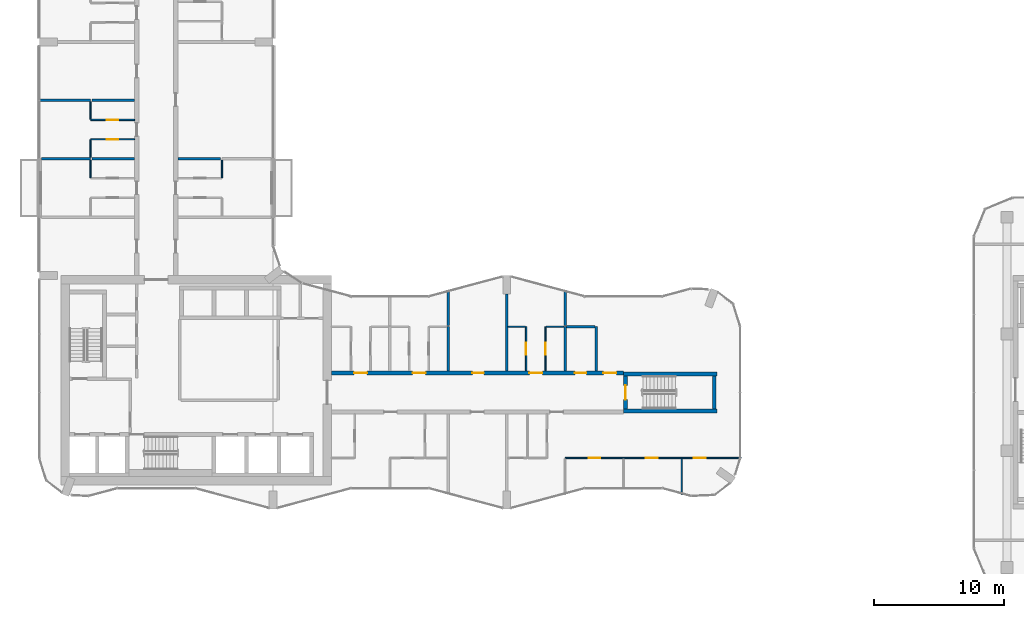
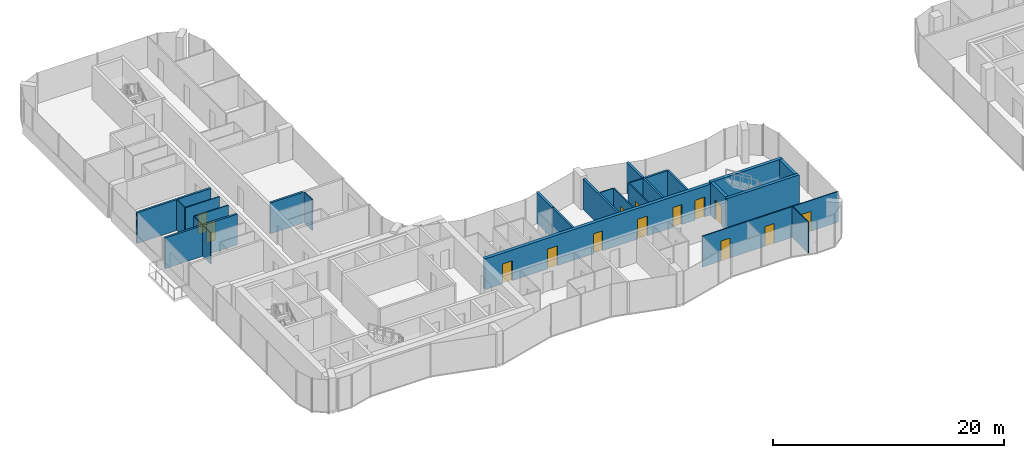
# One storey, part 15 of 22: 29 walls, 14 doors, 14 openings.
"""IFC4 building model written with IfcOpenShell, lengths in metres."""

from ifc_helpers import new_model, si_unit, direction, frame, frame_2d, origin, place, context, subcontext, project, spatial, rectangle, extrude, material, layer, layer_set, type_object, element, fill, save


model = new_model("IFC4")

# Units and contexts
model_context = context("Model", 3, precision=1e-05, world=origin(), true_north=direction((0.0, 1.0)))
body_context = subcontext(model_context, "Body", "Model", "MODEL_VIEW")
ifc_project = project(units=[si_unit("LENGTHUNIT", "METRE"), si_unit("AREAUNIT", "SQUARE_METRE"), si_unit("VOLUMEUNIT", "CUBIC_METRE"), si_unit("PLANEANGLEUNIT", "RADIAN"), si_unit("MASSUNIT", "GRAM", prefix="KILO")], contexts=[model_context])

# Site, building, storey
site_placement = place(None, origin())
site = spatial("IfcSite", under=ifc_project, at=site_placement, CompositionType="ELEMENT")
building_placement = place(site_placement, origin())
building = spatial("IfcBuilding", under=site, at=building_placement, Name="Plateau Cross Towers", CompositionType="ELEMENT")
storey_placement = place(building_placement, frame((0.0, 0.0, 102.800048828125)))
storey = spatial("IfcBuildingStorey", under=building, at=storey_placement, Name="L26", CompositionType="ELEMENT", Elevation=102.800048828125)

# Wall, openings, doors
ifc_material_1 = material(Name="Concrete C60/75", Category="concrete")
ifc_layer_1 = layer(ifc_material_1, 0.324951171875)
ifc_layer_set_1 = layer_set([ifc_layer_1], Name="Concrete C60/75")
wall_type_1 = type_object("IfcWallType", Name="Corridor wall 325", PredefinedType="SHEAR", material=ifc_layer_set_1)
wall_1_placement = place(storey_placement, frame((22.5, 10.5, 0.0), z_axis=(0.0, 0.0, 1.0), x_axis=(1.0, 0.0, 0.0)))
wall_1 = element("IfcWall", 1, at=wall_1_placement, inside=storey, type_object=wall_type_1, Name="A-cw-S2@L26", PredefinedType="SHEAR", context=body_context, shape_type="SweptSolid", body=[
    extrude(rectangle(XDim=22.5, YDim=0.324951171875, at=frame_2d((11.25, 0.0))), origin(), (0.0, 0.0, 1.0), 3.25),
])
opening_1_placement = place(wall_1_placement, frame((1.75, 0.0, 0.0)))
opening_1 = element("IfcOpeningElement", 2, at=opening_1_placement, cuts=wall_1, Name="Opening 26-04", PredefinedType="OPENING", context=body_context, shape_type="SweptSolid", body=[
    extrude(rectangle(XDim=1.0, YDim=2.10009765625, at=frame_2d((0.5, 1.050048828125))), frame((0.0, 0.17236328125, 0.0), z_axis=(0.0, -1.0, 0.0), x_axis=(1.0, 0.0, 0.0)), (0.0, 0.0, 1.0), 0.344970703125),
])
opening_2_placement = place(wall_1_placement, frame((6.25, 0.0, 0.0)))
opening_2 = element("IfcOpeningElement", 3, at=opening_2_placement, cuts=wall_1, Name="Opening 26-05", PredefinedType="OPENING", context=body_context, shape_type="SweptSolid", body=[
    extrude(rectangle(XDim=1.0, YDim=2.10009765625, at=frame_2d((0.5, 1.050048828125))), frame((0.0, 0.17236328125, 0.0), z_axis=(0.0, -1.0, 0.0), x_axis=(1.0, 0.0, 0.0)), (0.0, 0.0, 1.0), 0.344970703125),
])
opening_3_placement = place(wall_1_placement, frame((10.85009765625, 0.0, 0.0)))
opening_3 = element("IfcOpeningElement", 4, at=opening_3_placement, cuts=wall_1, Name="Opening 26-06", PredefinedType="OPENING", context=body_context, shape_type="SweptSolid", body=[
    extrude(rectangle(XDim=0.89990234375, YDim=2.10009765625, at=frame_2d((0.449951171875, 1.050048828125))), frame((0.0, 0.17236328125, 0.0), z_axis=(0.0, -1.0, 0.0), x_axis=(1.0, 0.0, 0.0)), (0.0, 0.0, 1.0), 0.344970703125),
])
opening_4_placement = place(wall_1_placement, frame((15.25, 0.0, 0.0)))
opening_4 = element("IfcOpeningElement", 5, at=opening_4_placement, cuts=wall_1, Name="Opening 26-07", PredefinedType="OPENING", context=body_context, shape_type="SweptSolid", body=[
    extrude(rectangle(XDim=1.0, YDim=2.10009765625, at=frame_2d((0.5, 1.050048828125))), frame((0.0, 0.17236328125, 0.0), z_axis=(0.0, -1.0, 0.0), x_axis=(1.0, 0.0, 0.0)), (0.0, 0.0, 1.0), 0.344970703125),
])
opening_5_placement = place(wall_1_placement, frame((18.75, 0.0, 0.0)))
opening_5 = element("IfcOpeningElement", 6, at=opening_5_placement, cuts=wall_1, Name="Opening 26-08", PredefinedType="OPENING", context=body_context, shape_type="SweptSolid", body=[
    extrude(rectangle(XDim=0.89990234375, YDim=2.10009765625, at=frame_2d((0.449951171875, 1.050048828125))), frame((0.0, 0.17236328125, 0.0), z_axis=(0.0, -1.0, 0.0), x_axis=(1.0, 0.0, 0.0)), (0.0, 0.0, 1.0), 0.344970703125),
])
opening_6_placement = place(wall_1_placement, frame((20.949951171875, 0.0, 0.0)))
opening_6 = element("IfcOpeningElement", 7, at=opening_6_placement, cuts=wall_1, Name="Opening 26-09", PredefinedType="OPENING", context=body_context, shape_type="SweptSolid", body=[
    extrude(rectangle(XDim=1.0, YDim=2.10009765625, at=frame_2d((0.5, 1.050048828125))), frame((0.0, 0.17236328125, 0.0), z_axis=(0.0, -1.0, 0.0), x_axis=(1.0, 0.0, 0.0)), (0.0, 0.0, 1.0), 0.344970703125),
])
ifc_material_2 = material(Name="Timber, fire-resisting leaf", Category="wood")
door_type_1 = type_object("IfcDoorType", Name="Flat entrance door 1000", OperationType="NOTDEFINED", PredefinedType="DOOR", material=ifc_material_2)
door_1_placement = place(opening_1_placement, origin())
door_1 = element("IfcDoor", 8, at=door_1_placement, inside=storey, type_object=door_type_1, Name="Door 26-04", OperationType="SINGLE_SWING_LEFT", OverallHeight=2.10009765625, OverallWidth=1.0, PredefinedType="DOOR", context=body_context, shape_type="SweptSolid", body=[
    extrude(rectangle(XDim=1.0, YDim=2.10009765625, at=frame_2d((0.5, 1.050048828125))), frame((0.0, 0.02490234375, 0.0), z_axis=(0.0, -1.0, 0.0), x_axis=(1.0, 0.0, 0.0)), (0.0, 0.0, 1.0), 0.050048828125),
])
fill(opening_1, door_1)
door_2_placement = place(opening_2_placement, origin())
door_2 = element("IfcDoor", 9, at=door_2_placement, inside=storey, type_object=door_type_1, Name="Door 26-05", OperationType="SINGLE_SWING_LEFT", OverallHeight=2.10009765625, OverallWidth=1.0, PredefinedType="DOOR", context=body_context, shape_type="SweptSolid", body=[
    extrude(rectangle(XDim=1.0, YDim=2.10009765625, at=frame_2d((0.5, 1.050048828125))), frame((0.0, 0.02490234375, 0.0), z_axis=(0.0, -1.0, 0.0), x_axis=(1.0, 0.0, 0.0)), (0.0, 0.0, 1.0), 0.050048828125),
])
fill(opening_2, door_2)
door_3_placement = place(opening_4_placement, origin())
door_3 = element("IfcDoor", 10, at=door_3_placement, inside=storey, type_object=door_type_1, Name="Door 26-07", OperationType="SINGLE_SWING_RIGHT", OverallHeight=2.10009765625, OverallWidth=1.0, PredefinedType="DOOR", context=body_context, shape_type="SweptSolid", body=[
    extrude(rectangle(XDim=1.0, YDim=2.10009765625, at=frame_2d((0.5, 1.050048828125))), frame((0.0, 0.02490234375, 0.0), z_axis=(0.0, -1.0, 0.0), x_axis=(1.0, 0.0, 0.0)), (0.0, 0.0, 1.0), 0.050048828125),
])
fill(opening_4, door_3)
door_4_placement = place(opening_6_placement, origin())
door_4 = element("IfcDoor", 11, at=door_4_placement, inside=storey, type_object=door_type_1, Name="Door 26-09", OperationType="SINGLE_SWING_RIGHT", OverallHeight=2.10009765625, OverallWidth=1.0, PredefinedType="DOOR", context=body_context, shape_type="SweptSolid", body=[
    extrude(rectangle(XDim=1.0, YDim=2.10009765625, at=frame_2d((0.5, 1.050048828125))), frame((0.0, 0.02490234375, 0.0), z_axis=(0.0, -1.0, 0.0), x_axis=(1.0, 0.0, 0.0)), (0.0, 0.0, 1.0), 0.050048828125),
])
fill(opening_6, door_4)
door_type_2 = type_object("IfcDoorType", Name="Flat floor service door 900", OperationType="NOTDEFINED", PredefinedType="DOOR", material=ifc_material_2)
door_5_placement = place(opening_3_placement, origin())
door_5 = element("IfcDoor", 12, at=door_5_placement, inside=storey, type_object=door_type_2, Name="Door 26-06", OperationType="SINGLE_SWING_RIGHT", OverallHeight=2.10009765625, OverallWidth=0.89990234375, PredefinedType="DOOR", context=body_context, shape_type="SweptSolid", body=[
    extrude(rectangle(XDim=0.89990234375, YDim=2.10009765625, at=frame_2d((0.449951171875, 1.050048828125))), frame((0.0, 0.02490234375, 0.0), z_axis=(0.0, -1.0, 0.0), x_axis=(1.0, 0.0, 0.0)), (0.0, 0.0, 1.0), 0.050048828125),
])
fill(opening_3, door_5)
door_6_placement = place(opening_5_placement, origin())
door_6 = element("IfcDoor", 13, at=door_6_placement, inside=storey, type_object=door_type_2, Name="Door 26-08", OperationType="SINGLE_SWING_RIGHT", OverallHeight=2.10009765625, OverallWidth=0.89990234375, PredefinedType="DOOR", context=body_context, shape_type="SweptSolid", body=[
    extrude(rectangle(XDim=0.89990234375, YDim=2.10009765625, at=frame_2d((0.449951171875, 1.050048828125))), frame((0.0, 0.02490234375, 0.0), z_axis=(0.0, -1.0, 0.0), x_axis=(1.0, 0.0, 0.0)), (0.0, 0.0, 1.0), 0.050048828125),
])
fill(opening_5, door_6)

ifc_material_3 = material(Name="Gypsum board on steel studs", Category="steel")
ifc_layer_2 = layer(ifc_material_3, 0.10009765625)
ifc_layer_set_2 = layer_set([ifc_layer_2], Name="Gypsum board on steel studs")
wall_type_2 = type_object("IfcWallType", Name="Flat partition 100", PredefinedType="PARTITIONING", material=ifc_layer_set_2)
wall_2_placement = place(storey_placement, frame((54.080078125, 3.9375, 0.0), z_axis=(0.0, 0.0, 1.0), x_axis=(-1.0, 0.0, 0.0)))
wall_2 = element("IfcWall", 14, at=wall_2_placement, inside=storey, type_object=wall_type_2, Name="Partition wall", PredefinedType="PARTITIONING", context=body_context, shape_type="SweptSolid", body=[
    extrude(rectangle(XDim=13.580078125, YDim=0.10009765625, at=frame_2d((6.7900390625, 0.0))), origin(), (0.0, 0.0, 1.0), 3.25),
])
opening_7_placement = place(wall_2_placement, frame((10.85009765625, 0.0, 0.0)))
opening_7 = element("IfcOpeningElement", 15, at=opening_7_placement, cuts=wall_2, Name="Opening 26-26", PredefinedType="OPENING", context=body_context, shape_type="SweptSolid", body=[
    extrude(rectangle(XDim=0.89990234375, YDim=2.10009765625, at=frame_2d((0.449951171875, 1.050048828125))), frame((0.0, 0.06005859375, 0.0), z_axis=(0.0, -1.0, 0.0), x_axis=(1.0, 0.0, 0.0)), (0.0, 0.0, 1.0), 0.1201171875),
])
opening_8_placement = place(wall_2_placement, frame((6.449951171875, 0.0, 0.0)))
opening_8 = element("IfcOpeningElement", 16, at=opening_8_placement, cuts=wall_2, Name="Opening 26-27", PredefinedType="OPENING", context=body_context, shape_type="SweptSolid", body=[
    extrude(rectangle(XDim=0.89990234375, YDim=2.10009765625, at=frame_2d((0.449951171875, 1.050048828125))), frame((0.0, 0.06005859375, 0.0), z_axis=(0.0, -1.0, 0.0), x_axis=(1.0, 0.0, 0.0)), (0.0, 0.0, 1.0), 0.1201171875),
])
opening_9_placement = place(wall_2_placement, frame((2.75, 0.0, 0.0)))
opening_9 = element("IfcOpeningElement", 17, at=opening_9_placement, cuts=wall_2, Name="Opening 26-28", PredefinedType="OPENING", context=body_context, shape_type="SweptSolid", body=[
    extrude(rectangle(XDim=0.89990234375, YDim=2.10009765625, at=frame_2d((0.449951171875, 1.050048828125))), frame((0.0, 0.06005859375, 0.0), z_axis=(0.0, -1.0, 0.0), x_axis=(1.0, 0.0, 0.0)), (0.0, 0.0, 1.0), 0.1201171875),
])
ifc_material_4 = material(Name="Timber leaf", Category="wood")
door_type_3 = type_object("IfcDoorType", Name="Flat room door 900", OperationType="NOTDEFINED", PredefinedType="DOOR", material=ifc_material_4)
door_7_placement = place(opening_7_placement, origin())
door_7 = element("IfcDoor", 18, at=door_7_placement, inside=storey, type_object=door_type_3, Name="Door 26-26", OperationType="SINGLE_SWING_RIGHT", OverallHeight=2.10009765625, OverallWidth=0.89990234375, PredefinedType="DOOR", context=body_context, shape_type="SweptSolid", body=[
    extrude(rectangle(XDim=0.89990234375, YDim=2.10009765625, at=frame_2d((0.449951171875, 1.050048828125))), frame((0.0, 0.02490234375, 0.0), z_axis=(0.0, -1.0, 0.0), x_axis=(1.0, 0.0, 0.0)), (0.0, 0.0, 1.0), 0.050048828125),
])
fill(opening_7, door_7)
door_8_placement = place(opening_8_placement, origin())
door_8 = element("IfcDoor", 19, at=door_8_placement, inside=storey, type_object=door_type_3, Name="Door 26-27", OperationType="SINGLE_SWING_RIGHT", OverallHeight=2.10009765625, OverallWidth=0.89990234375, PredefinedType="DOOR", context=body_context, shape_type="SweptSolid", body=[
    extrude(rectangle(XDim=0.89990234375, YDim=2.10009765625, at=frame_2d((0.449951171875, 1.050048828125))), frame((0.0, 0.02490234375, 0.0), z_axis=(0.0, -1.0, 0.0), x_axis=(1.0, 0.0, 0.0)), (0.0, 0.0, 1.0), 0.050048828125),
])
fill(opening_8, door_8)
door_9_placement = place(opening_9_placement, origin())
door_9 = element("IfcDoor", 20, at=door_9_placement, inside=storey, type_object=door_type_3, Name="Door 26-28", OperationType="SINGLE_SWING_LEFT", OverallHeight=2.10009765625, OverallWidth=0.89990234375, PredefinedType="DOOR", context=body_context, shape_type="SweptSolid", body=[
    extrude(rectangle(XDim=0.89990234375, YDim=2.10009765625, at=frame_2d((0.449951171875, 1.050048828125))), frame((0.0, 0.02490234375, 0.0), z_axis=(0.0, -1.0, 0.0), x_axis=(1.0, 0.0, 0.0)), (0.0, 0.0, 1.0), 0.050048828125),
])
fill(opening_9, door_9)

# Walls
for number, where, z_axis, x_axis, name in (
    (21, (37.449951171875, 14.0625, 0.0), (0.0, 0.0, 1.0), (-1.0, 0.0, 0.0), "Partition wall"),
    (22, (40.39990234375, 14.0625, 0.0), (0.0, 0.0, 1.0), (-1.0, 0.0, 0.0), "Partition wall"),
):
    element("IfcWall", number, at=place(storey_placement, frame(where, z_axis=z_axis, x_axis=x_axis)), inside=storey, type_object=wall_type_2, Name=name, PredefinedType="PARTITIONING", context=body_context, shape_type="SweptSolid", body=[
        extrude(rectangle(XDim=1.349853515625, YDim=0.10009765625, at=frame_2d((0.6748046875, 0.0))), origin(), (0.0, 0.0, 1.0), 3.25),
    ])

# Wall, opening, door
wall_3_placement = place(storey_placement, frame((7.33740234375, 28.5, 0.0), z_axis=(0.0, 0.0, 1.0), x_axis=(-1.0, 0.0, 0.0)))
wall_3 = element("IfcWall", 23, at=wall_3_placement, inside=storey, type_object=wall_type_2, Name="Partition wall", PredefinedType="PARTITIONING", context=body_context, shape_type="SweptSolid", body=[
    extrude(rectangle(XDim=3.39990234375, YDim=0.10009765625, at=frame_2d((1.699951171875, 0.0))), origin(), (0.0, 0.0, 1.0), 3.25),
])
opening_10_placement = place(wall_3_placement, frame((1.25, 0.0, 0.0)))
opening_10 = element("IfcOpeningElement", 24, at=opening_10_placement, cuts=wall_3, Name="Opening 26-37", PredefinedType="OPENING", context=body_context, shape_type="SweptSolid", body=[
    extrude(rectangle(XDim=0.89990234375, YDim=2.10009765625, at=frame_2d((0.449951171875, 1.050048828125))), frame((0.0, 0.06005859375, 0.0), z_axis=(0.0, -1.0, 0.0), x_axis=(1.0, 0.0, 0.0)), (0.0, 0.0, 1.0), 0.1201171875),
])
door_10_placement = place(opening_10_placement, origin())
door_10 = element("IfcDoor", 25, at=door_10_placement, inside=storey, type_object=door_type_3, Name="Door 26-37", OperationType="SINGLE_SWING_LEFT", OverallHeight=2.10009765625, OverallWidth=0.89990234375, PredefinedType="DOOR", context=body_context, shape_type="SweptSolid", body=[
    extrude(rectangle(XDim=0.89990234375, YDim=2.10009765625, at=frame_2d((0.449951171875, 1.050048828125))), frame((0.0, 0.02490234375, 0.0), z_axis=(0.0, -1.0, 0.0), x_axis=(1.0, 0.0, 0.0)), (0.0, 0.0, 1.0), 0.050048828125),
])
fill(opening_10, door_10)

wall_4_placement = place(storey_placement, frame((3.9375, 30.0, 0.0), z_axis=(0.0, 0.0, 1.0), x_axis=(1.0, 0.0, 0.0)))
wall_4 = element("IfcWall", 26, at=wall_4_placement, inside=storey, type_object=wall_type_2, Name="Partition wall", PredefinedType="PARTITIONING", context=body_context, shape_type="SweptSolid", body=[
    extrude(rectangle(XDim=3.39990234375, YDim=0.10009765625, at=frame_2d((1.699951171875, 0.0))), origin(), (0.0, 0.0, 1.0), 3.25),
])
opening_11_placement = place(wall_4_placement, frame((1.25, 0.0, 0.0)))
opening_11 = element("IfcOpeningElement", 27, at=opening_11_placement, cuts=wall_4, Name="Opening 26-38", PredefinedType="OPENING", context=body_context, shape_type="SweptSolid", body=[
    extrude(rectangle(XDim=0.89990234375, YDim=2.10009765625, at=frame_2d((0.449951171875, 1.050048828125))), frame((0.0, 0.06005859375, 0.0), z_axis=(0.0, -1.0, 0.0), x_axis=(1.0, 0.0, 0.0)), (0.0, 0.0, 1.0), 0.1201171875),
])
door_11_placement = place(opening_11_placement, origin())
door_11 = element("IfcDoor", 28, at=door_11_placement, inside=storey, type_object=door_type_3, Name="Door 26-38", OperationType="SINGLE_SWING_LEFT", OverallHeight=2.10009765625, OverallWidth=0.89990234375, PredefinedType="DOOR", context=body_context, shape_type="SweptSolid", body=[
    extrude(rectangle(XDim=0.89990234375, YDim=2.10009765625, at=frame_2d((0.449951171875, 1.050048828125))), frame((0.0, 0.02490234375, 0.0), z_axis=(0.0, -1.0, 0.0), x_axis=(1.0, 0.0, 0.0)), (0.0, 0.0, 1.0), 0.050048828125),
])
fill(opening_11, door_11)

# Walls
for number, where, z_axis, x_axis, name in (
    (29, (3.9375, 26.89990234375, 0.0), (0.0, 0.0, 1.0), (0.0, -1.0, 0.0), "Partition wall"),
    (30, (3.9375, 28.449951171875, 0.0), (0.0, 0.0, 1.0), (0.0, -1.0, 0.0), "Partition wall"),
    (31, (3.9375, 31.39990234375, 0.0), (0.0, 0.0, 1.0), (0.0, -1.0, 0.0), "Partition wall"),
    (32, (14.0625, 25.550048828125, 0.0), (0.0, 0.0, 1.0), (0.0, 1.0, 0.0), "Partition wall"),
):
    element("IfcWall", number, at=place(storey_placement, frame(where, z_axis=z_axis, x_axis=x_axis)), inside=storey, type_object=wall_type_2, Name=name, PredefinedType="PARTITIONING", context=body_context, shape_type="SweptSolid", body=[
        extrude(rectangle(XDim=1.349853515625, YDim=0.10009765625, at=frame_2d((0.6748046875, 0.0))), origin(), (0.0, 0.0, 1.0), 3.25),
    ])

# Wall, opening, door
wall_5_placement = place(storey_placement, frame((37.5, 10.66259765625, 0.0), z_axis=(0.0, 0.0, 1.0), x_axis=(0.0, 1.0, 0.0)))
wall_5 = element("IfcWall", 33, at=wall_5_placement, inside=storey, type_object=wall_type_2, Name="Partition wall", PredefinedType="PARTITIONING", context=body_context, shape_type="SweptSolid", body=[
    extrude(rectangle(XDim=3.39990234375, YDim=0.10009765625, at=frame_2d((1.699951171875, 0.0))), origin(), (0.0, 0.0, 1.0), 3.25),
])
opening_12_placement = place(wall_5_placement, frame((1.25, 0.0, 0.0)))
opening_12 = element("IfcOpeningElement", 34, at=opening_12_placement, cuts=wall_5, Name="Opening 26-33", PredefinedType="OPENING", context=body_context, shape_type="SweptSolid", body=[
    extrude(rectangle(XDim=0.89990234375, YDim=2.10009765625, at=frame_2d((0.449951171875, 1.050048828125))), frame((0.0, 0.06005859375, 0.0), z_axis=(0.0, -1.0, 0.0), x_axis=(1.0, 0.0, 0.0)), (0.0, 0.0, 1.0), 0.1201171875),
])
door_12_placement = place(opening_12_placement, origin())
door_12 = element("IfcDoor", 35, at=door_12_placement, inside=storey, type_object=door_type_3, Name="Door 26-33", OperationType="SINGLE_SWING_LEFT", OverallHeight=2.10009765625, OverallWidth=0.89990234375, PredefinedType="DOOR", context=body_context, shape_type="SweptSolid", body=[
    extrude(rectangle(XDim=0.89990234375, YDim=2.10009765625, at=frame_2d((0.449951171875, 1.050048828125))), frame((0.0, 0.02490234375, 0.0), z_axis=(0.0, -1.0, 0.0), x_axis=(1.0, 0.0, 0.0)), (0.0, 0.0, 1.0), 0.050048828125),
])
fill(opening_12, door_12)

wall_6_placement = place(storey_placement, frame((39.0, 14.0625, 0.0), z_axis=(0.0, 0.0, 1.0), x_axis=(0.0, -1.0, 0.0)))
wall_6 = element("IfcWall", 36, at=wall_6_placement, inside=storey, type_object=wall_type_2, Name="Partition wall", PredefinedType="PARTITIONING", context=body_context, shape_type="SweptSolid", body=[
    extrude(rectangle(XDim=3.39990234375, YDim=0.10009765625, at=frame_2d((1.699951171875, 0.0))), origin(), (0.0, 0.0, 1.0), 3.25),
])
opening_13_placement = place(wall_6_placement, frame((1.25, 0.0, 0.0)))
opening_13 = element("IfcOpeningElement", 37, at=opening_13_placement, cuts=wall_6, Name="Opening 26-34", PredefinedType="OPENING", context=body_context, shape_type="SweptSolid", body=[
    extrude(rectangle(XDim=0.89990234375, YDim=2.10009765625, at=frame_2d((0.449951171875, 1.050048828125))), frame((0.0, 0.06005859375, 0.0), z_axis=(0.0, -1.0, 0.0), x_axis=(1.0, 0.0, 0.0)), (0.0, 0.0, 1.0), 0.1201171875),
])
door_13_placement = place(opening_13_placement, origin())
door_13 = element("IfcDoor", 38, at=door_13_placement, inside=storey, type_object=door_type_3, Name="Door 26-34", OperationType="SINGLE_SWING_LEFT", OverallHeight=2.10009765625, OverallWidth=0.89990234375, PredefinedType="DOOR", context=body_context, shape_type="SweptSolid", body=[
    extrude(rectangle(XDim=0.89990234375, YDim=2.10009765625, at=frame_2d((0.449951171875, 1.050048828125))), frame((0.0, 0.02490234375, 0.0), z_axis=(0.0, -1.0, 0.0), x_axis=(1.0, 0.0, 0.0)), (0.0, 0.0, 1.0), 0.050048828125),
])
fill(opening_13, door_13)

# Walls
wall_7_placement = place(storey_placement, frame((49.5, 1.122314453125, 0.0), z_axis=(0.0, 0.0, 1.0), x_axis=(0.0, 1.0, 0.0)))
element("IfcWall", 39, at=wall_7_placement, inside=storey, type_object=wall_type_2, Name="Partition wall", PredefinedType="PARTITIONING", context=body_context, shape_type="SweptSolid", body=[
    extrude(rectangle(XDim=2.76513671875, YDim=0.10009765625, at=frame_2d((1.382568359375, 0.0))), origin(), (0.0, 0.0, 1.0), 3.25),
])
ifc_material_5 = material(Name="Gypsum board on steel studs, two layers each side", Category="steel")
ifc_layer_3 = layer(ifc_material_5, 0.199951171875)
ifc_layer_set_3 = layer_set([ifc_layer_3], Name="Gypsum board on steel studs, two layers each side")
wall_type_3 = type_object("IfcWallType", Name="Flat party wall 200", PredefinedType="PARTITIONING", material=ifc_layer_set_3)
wall_8_placement = place(storey_placement, frame((42.800048828125, 14.0625, 0.0), z_axis=(0.0, 0.0, 1.0), x_axis=(-1.0, 0.0, 0.0)))
element("IfcWall", 40, at=wall_8_placement, inside=storey, type_object=wall_type_3, Name="Party wall", PredefinedType="PARTITIONING", context=body_context, shape_type="SweptSolid", body=[
    extrude(rectangle(XDim=2.199951171875, YDim=0.199951171875, at=frame_2d((1.10009765625, 0.0))), origin(), (0.0, 0.0, 1.0), 3.25),
])
for number, where, z_axis, x_axis, name in (
    (41, (7.33740234375, 27.0, 0.0), (0.0, 0.0, 1.0), (-1.0, 0.0, 0.0), "Party wall"),
    (42, (13.96240234375, 27.0, 0.0), (0.0, 0.0, 1.0), (-1.0, 0.0, 0.0), "Party wall"),
):
    element("IfcWall", number, at=place(storey_placement, frame(where, z_axis=z_axis, x_axis=x_axis)), inside=storey, type_object=wall_type_3, Name=name, PredefinedType="PARTITIONING", context=body_context, shape_type="SweptSolid", body=[
        extrude(rectangle(XDim=3.2998046875, YDim=0.199951171875, at=frame_2d((1.64990234375, 0.0))), origin(), (0.0, 0.0, 1.0), 3.25),
    ])
wall_9_placement = place(storey_placement, frame((0.14990234375, 27.0, 0.0), z_axis=(0.0, 0.0, 1.0), x_axis=(1.0, 0.0, 0.0)))
element("IfcWall", 43, at=wall_9_placement, inside=storey, type_object=wall_type_3, Name="Party wall", PredefinedType="PARTITIONING", context=body_context, shape_type="SweptSolid", body=[
    extrude(rectangle(XDim=3.78759765625, YDim=0.199951171875, at=frame_2d((1.893798828125, 0.0))), origin(), (0.0, 0.0, 1.0), 3.25),
])
wall_10_placement = place(storey_placement, frame((7.33740234375, 31.5, 0.0), z_axis=(0.0, 0.0, 1.0), x_axis=(-1.0, 0.0, 0.0)))
element("IfcWall", 44, at=wall_10_placement, inside=storey, type_object=wall_type_3, Name="Party wall", PredefinedType="PARTITIONING", context=body_context, shape_type="SweptSolid", body=[
    extrude(rectangle(XDim=3.2998046875, YDim=0.199951171875, at=frame_2d((1.64990234375, 0.0))), origin(), (0.0, 0.0, 1.0), 3.25),
])
wall_11_placement = place(storey_placement, frame((-0.080078125, 31.5, 0.0), z_axis=(0.0, 0.0, 1.0), x_axis=(1.0, 0.0, 0.0)))
element("IfcWall", 45, at=wall_11_placement, inside=storey, type_object=wall_type_3, Name="Party wall", PredefinedType="PARTITIONING", context=body_context, shape_type="SweptSolid", body=[
    extrude(rectangle(XDim=4.017578125, YDim=0.199951171875, at=frame_2d((2.0087890625, 0.0))), origin(), (0.0, 0.0, 1.0), 3.25),
])
wall_12_placement = place(storey_placement, frame((31.5, 16.877685546875, 0.0), z_axis=(0.0, 0.0, 1.0), x_axis=(0.0, -1.0, 0.0)))
element("IfcWall", 46, at=wall_12_placement, inside=storey, type_object=wall_type_3, Name="Party wall", PredefinedType="PARTITIONING", context=body_context, shape_type="SweptSolid", body=[
    extrude(rectangle(XDim=2.715087890625, YDim=0.199951171875, at=frame_2d((1.357421875, 0.0))), origin(), (0.0, 0.0, 1.0), 3.25),
])
wall_13_placement = place(storey_placement, frame((31.5, 10.66259765625, 0.0), z_axis=(0.0, 0.0, 1.0), x_axis=(0.0, 1.0, 0.0)))
element("IfcWall", 47, at=wall_13_placement, inside=storey, type_object=wall_type_3, Name="Party wall", PredefinedType="PARTITIONING", context=body_context, shape_type="SweptSolid", body=[
    extrude(rectangle(XDim=3.39990234375, YDim=0.199951171875, at=frame_2d((1.699951171875, 0.0))), origin(), (0.0, 0.0, 1.0), 3.25),
])
wall_14_placement = place(storey_placement, frame((36.0, 10.66259765625, 0.0), z_axis=(0.0, 0.0, 1.0), x_axis=(0.0, 1.0, 0.0)))
element("IfcWall", 48, at=wall_14_placement, inside=storey, type_object=wall_type_3, Name="Party wall", PredefinedType="PARTITIONING", context=body_context, shape_type="SweptSolid", body=[
    extrude(rectangle(XDim=5.9375, YDim=0.199951171875, at=frame_2d((2.96875, 0.0))), origin(), (0.0, 0.0, 1.0), 3.25),
])
wall_15_placement = place(storey_placement, frame((40.5, 16.877685546875, 0.0), z_axis=(0.0, 0.0, 1.0), x_axis=(0.0, -1.0, 0.0)))
element("IfcWall", 49, at=wall_15_placement, inside=storey, type_object=wall_type_3, Name="Party wall", PredefinedType="PARTITIONING", context=body_context, shape_type="SweptSolid", body=[
    extrude(rectangle(XDim=2.715087890625, YDim=0.199951171875, at=frame_2d((1.357421875, 0.0))), origin(), (0.0, 0.0, 1.0), 3.25),
])
for number, where, z_axis, x_axis, name in (
    (50, (40.5, 10.66259765625, 0.0), (0.0, 0.0, 1.0), (0.0, 1.0, 0.0), "Party wall"),
    (51, (42.89990234375, 10.66259765625, 0.0), (0.0, 0.0, 1.0), (0.0, 1.0, 0.0), "Party wall"),
):
    element("IfcWall", number, at=place(storey_placement, frame(where, z_axis=z_axis, x_axis=x_axis)), inside=storey, type_object=wall_type_3, Name=name, PredefinedType="PARTITIONING", context=body_context, shape_type="SweptSolid", body=[
        extrude(rectangle(XDim=3.39990234375, YDim=0.199951171875, at=frame_2d((1.699951171875, 0.0))), origin(), (0.0, 0.0, 1.0), 3.25),
    ])

# Wall, opening, door
ifc_layer_4 = layer(ifc_material_1, 0.300048828125)
ifc_layer_set_4 = layer_set([ifc_layer_4], Name="Concrete C60/75")
wall_type_4 = type_object("IfcWallType", Name="Stair tower wall 300", PredefinedType="SHEAR", material=ifc_layer_set_4)
wall_16_placement = place(storey_placement, frame((45.14990234375, 7.72509765625, 0.0), z_axis=(0.0, 0.0, 1.0), x_axis=(0.0, 1.0, 0.0)))
wall_16 = element("IfcWall", 52, at=wall_16_placement, inside=storey, type_object=wall_type_4, Name="A-end-E-W@L26", PredefinedType="SHEAR", context=body_context, shape_type="SweptSolid", body=[
    extrude(rectangle(XDim=2.5498046875, YDim=0.300048828125, at=frame_2d((1.27490234375, 0.0))), origin(), (0.0, 0.0, 1.0), 3.5),
])
opening_14_placement = place(wall_16_placement, frame((0.72509765625, 0.0, 0.0)))
opening_14 = element("IfcOpeningElement", 53, at=opening_14_placement, cuts=wall_16, Name="Opening SD", PredefinedType="OPENING", context=body_context, shape_type="SweptSolid", body=[
    extrude(rectangle(XDim=1.10009765625, YDim=2.10009765625, at=frame_2d((0.550048828125, 1.050048828125))), frame((0.0, 0.159912109375, 0.0), z_axis=(0.0, -1.0, 0.0), x_axis=(1.0, 0.0, 0.0)), (0.0, 0.0, 1.0), 0.320068359375),
])
ifc_material_6 = material(Name="Steel, fire-resisting leaf", Category="steel")
door_type_4 = type_object("IfcDoorType", Name="Stair door 1100", OperationType="NOTDEFINED", PredefinedType="DOOR", material=ifc_material_6)
door_14_placement = place(opening_14_placement, origin())
door_14 = element("IfcDoor", 54, at=door_14_placement, inside=storey, type_object=door_type_4, Name="Stair door SD", OperationType="SINGLE_SWING_LEFT", OverallHeight=2.10009765625, OverallWidth=1.10009765625, PredefinedType="DOOR", context=body_context, shape_type="SweptSolid", body=[
    extrude(rectangle(XDim=1.10009765625, YDim=2.10009765625, at=frame_2d((0.550048828125, 1.050048828125))), frame((0.0, 0.02490234375, 0.0), z_axis=(0.0, -1.0, 0.0), x_axis=(1.0, 0.0, 0.0)), (0.0, 0.0, 1.0), 0.050048828125),
])
fill(opening_14, door_14)

# Walls
wall_17_placement = place(storey_placement, frame((52.0, 7.72509765625, 0.0), z_axis=(0.0, 0.0, 1.0), x_axis=(0.0, 1.0, 0.0)))
element("IfcWall", 55, at=wall_17_placement, inside=storey, type_object=wall_type_4, Name="A-end-E-E@L26", PredefinedType="SHEAR", context=body_context, shape_type="SweptSolid", body=[
    extrude(rectangle(XDim=2.5498046875, YDim=0.300048828125, at=frame_2d((1.27490234375, 0.0))), origin(), (0.0, 0.0, 1.0), 3.5),
])
for number, where, z_axis, x_axis, name in (
    (56, (45.0, 7.574951171875, 0.0), (0.0, 0.0, 1.0), (1.0, 0.0, 0.0), "A-end-E-S@L26"),
    (57, (45.0, 10.425048828125, 0.0), (0.0, 0.0, 1.0), (1.0, 0.0, 0.0), "A-end-E-N@L26"),
):
    element("IfcWall", number, at=place(storey_placement, frame(where, z_axis=z_axis, x_axis=x_axis)), inside=storey, type_object=wall_type_4, Name=name, PredefinedType="SHEAR", context=body_context, shape_type="SweptSolid", body=[
        extrude(rectangle(XDim=7.199951171875, YDim=0.300048828125, at=frame_2d((3.60009765625, 0.0))), origin(), (0.0, 0.0, 1.0), 3.5),
    ])

save(model, "model.ifc")
